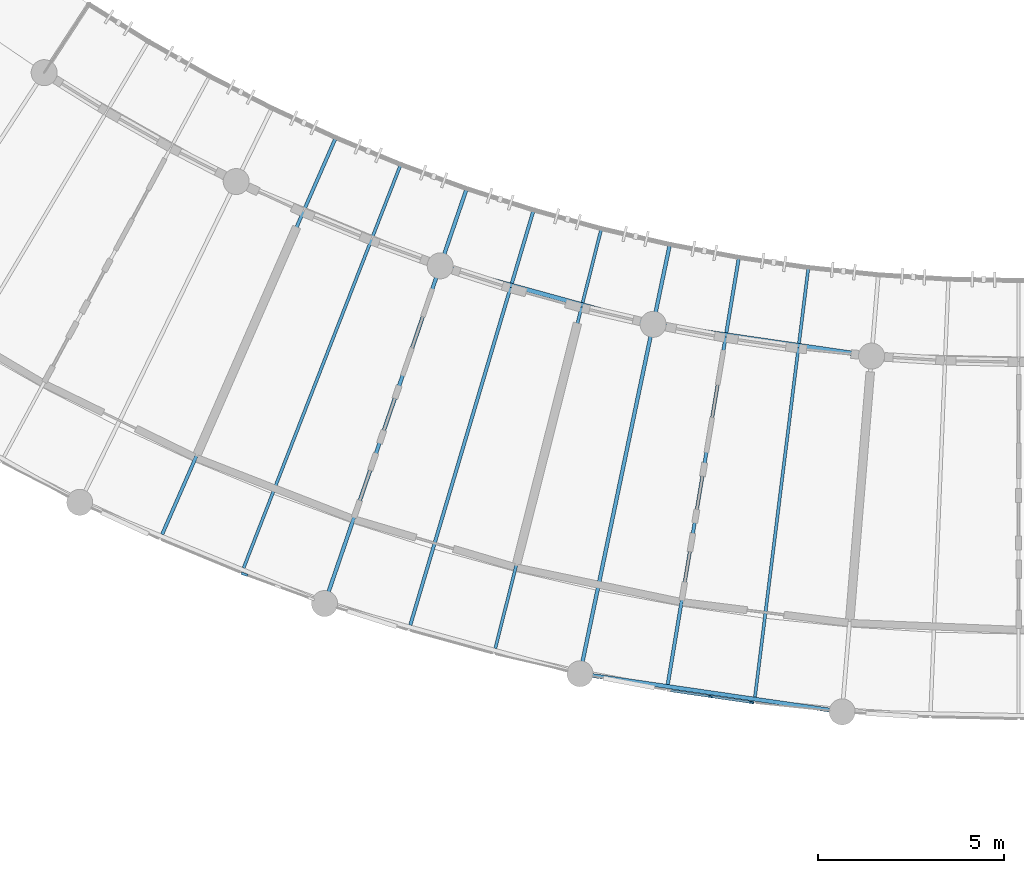
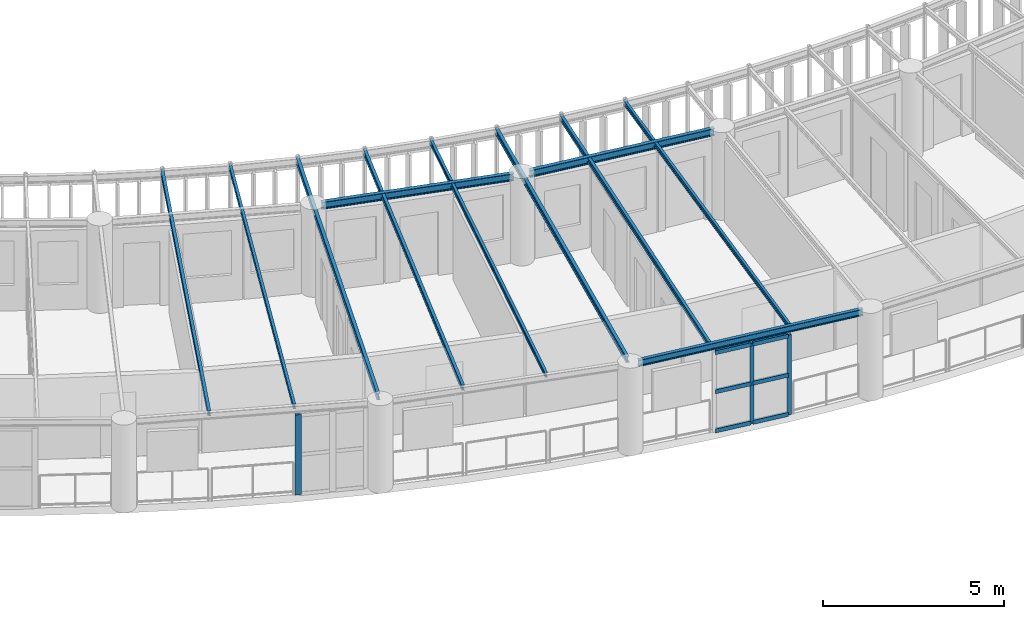
# One storey, part 16 of 137: 11 beams, 9 members, 2 elements without a shape of their own.
"""IFC4 building model written with IfcOpenShell, lengths in metres."""

from ifc_helpers import new_model, si_unit, direction, frame, origin, origin_2d, place, context, subcontext, project, spatial, rectangle, i_section, extrude, material, layer, layer_set, material_profile, profile_set, type_object, element, aggregate, save


model = new_model("IFC4")

# Units and contexts
model_context = context("Model", 3, precision=1e-05, world=origin(), true_north=direction((0.0, 1.0)))
body_context = subcontext(model_context, "Body", "Model", "MODEL_VIEW")
ifc_project = project(units=[si_unit("LENGTHUNIT", "METRE"), si_unit("AREAUNIT", "SQUARE_METRE"), si_unit("VOLUMEUNIT", "CUBIC_METRE"), si_unit("PLANEANGLEUNIT", "RADIAN"), si_unit("MASSUNIT", "GRAM", prefix="KILO"), si_unit("POWERUNIT", "WATT"), si_unit("THERMODYNAMICTEMPERATUREUNIT", "KELVIN")], contexts=[model_context])

# Site, building, storey
site_placement = place(None, origin())
site = spatial("IfcSite", under=ifc_project, at=site_placement, CompositionType="ELEMENT")
building_placement = place(site_placement, origin())
building = spatial("IfcBuilding", under=site, at=building_placement, Name="Ruvembo Vaulted Housing Court", CompositionType="ELEMENT")
storey_placement = place(building_placement, frame((0.0, 0.0, 4.5)))
storey = spatial("IfcBuildingStorey", under=building, at=storey_placement, Name="L01", CompositionType="ELEMENT", Elevation=4.5)

# Beams
ifc_material_1 = material(Name="Steel S355J2", Category="steel")
ifc_material_profile_1 = material_profile(ifc_material_1, i_section(OverallWidth=0.08203125, OverallDepth=0.159912109375, WebThickness=0.0048828125, FlangeThickness=0.00732421875, FilletRadius=0.009033203125, at=origin_2d()), Name="IPE 160")
ifc_profile_set_1 = profile_set([ifc_material_profile_1], Name="Steel S355J2")
beam_type_1 = type_object("IfcBeamType", Name="BM-ST-IPE160", PredefinedType="JOIST", material=ifc_profile_set_1)
beam_1_placement = place(storey_placement, frame((48.156005859375, 8.46240234375, 2.860107421875), z_axis=(0.362802942669, 0.931865883478, 0.0), x_axis=(-0.931865883478, 0.362802942669, 0.0)))
element("IfcBeam", 1, at=beam_1_placement, inside=storey, type_object=beam_type_1, Name="Scoop SC2 L01 Radial Steel Joist 5", PredefinedType="JOIST", context=body_context, shape_type="SweptSolid", body=[
    extrude(i_section(OverallWidth=0.08203125, OverallDepth=0.159912109375, WebThickness=0.0048828125, FlangeThickness=0.00732421875, FilletRadius=0.009033203125, at=origin_2d()), origin(), (0.0, 0.0, 1.0), 11.692138671875),
])
beam_2_placement = place(storey_placement, frame((54.92431640625, 6.299072265625, 2.860107421875), z_axis=(0.24500130138, 0.96952274977, 0.0), x_axis=(-0.96952274977, 0.24500130138, 0.0)))
element("IfcBeam", 2, at=beam_2_placement, inside=storey, type_object=beam_type_1, Name="Scoop SC2 L01 Radial Steel Joist 8", PredefinedType="JOIST", context=body_context, shape_type="SweptSolid", body=[
    extrude(i_section(OverallWidth=0.08203125, OverallDepth=0.159912109375, WebThickness=0.0048828125, FlangeThickness=0.00732421875, FilletRadius=0.009033203125, at=origin_2d()), origin(), (0.0, 0.0, 1.0), 11.69189453125),
])
beam_3_placement = place(storey_placement, frame((61.907958984375, 4.9873046875, 2.860107421875), z_axis=(0.123446200649, 0.992351266208, 0.0), x_axis=(-0.992351266208, 0.123446200649, 0.0)))
element("IfcBeam", 3, at=beam_3_placement, inside=storey, type_object=beam_type_1, Name="Scoop SC2 L01 Radial Steel Joist 11", PredefinedType="JOIST", context=body_context, shape_type="SweptSolid", body=[
    extrude(i_section(OverallWidth=0.08203125, OverallDepth=0.159912109375, WebThickness=0.0048828125, FlangeThickness=0.00732421875, FilletRadius=0.009033203125, at=origin_2d()), origin(), (0.0, 0.0, 1.0), 11.692138671875),
])
ifc_material_profile_2 = material_profile(ifc_material_1, i_section(OverallWidth=0.091064453125, OverallDepth=0.179931640625, WebThickness=0.00537109375, FlangeThickness=0.008056640625, FilletRadius=0.009033203125, at=origin_2d()), Name="IPE 180")
ifc_profile_set_2 = profile_set([ifc_material_profile_2], Name="Steel S355J2")
beam_type_2 = type_object("IfcBeamType", Name="BM-ST-IPE180", PredefinedType="JOIST", material=ifc_profile_set_2)
beam_4_placement = place(storey_placement, frame((45.9658203125, 9.367919921875, 2.85009765625), z_axis=(0.400923991771, 0.916111321196, 0.0), x_axis=(-0.916111321196, 0.400923991771, 0.0)))
element("IfcBeam", 4, at=beam_4_placement, inside=storey, type_object=beam_type_2, Name="Scoop SC2 L01 Radial Steel Joist 4", PredefinedType="JOIST", context=body_context, shape_type="SweptSolid", body=[
    extrude(i_section(OverallWidth=0.091064453125, OverallDepth=0.179931640625, WebThickness=0.00537109375, FlangeThickness=0.008056640625, FilletRadius=0.009033203125, at=origin_2d()), origin(), (0.0, 0.0, 1.0), 11.691650390625),
])
for number, where, z_axis, x_axis, name in (
    (5, (52.638916015625, 6.9267578125, 2.85009765625), (0.28479137609, 0.958589522217, 0.0), (-0.958589522217, 0.28479137609, 0.0), "Scoop SC2 L01 Radial Steel Joist 7"),
    (6, (59.5625, 5.328369140625, 2.85009765625), (0.164290631564, 0.986411977006, 0.0), (-0.986411977006, 0.164290631564, 0.0), "Scoop SC2 L01 Radial Steel Joist 10"),
):
    element("IfcBeam", number, at=place(storey_placement, frame(where, z_axis=z_axis, x_axis=x_axis)), inside=storey, type_object=beam_type_2, Name=name, PredefinedType="JOIST", context=body_context, shape_type="SweptSolid", body=[
        extrude(i_section(OverallWidth=0.091064453125, OverallDepth=0.179931640625, WebThickness=0.00537109375, FlangeThickness=0.008056640625, FilletRadius=0.009033203125, at=origin_2d()), origin(), (0.0, 0.0, 1.0), 11.692138671875),
    ])
ifc_material_profile_3 = material_profile(ifc_material_1, i_section(OverallWidth=0.10009765625, OverallDepth=0.199951171875, WebThickness=0.005615234375, FlangeThickness=0.008544921875, FilletRadius=0.011962890625, at=origin_2d()), Name="IPE 200")
ifc_profile_set_3 = profile_set([ifc_material_profile_3], Name="Steel S355J2")
beam_type_3 = type_object("IfcBeamType", Name="BM-ST-IPE200", PredefinedType="BEAM", material=ifc_profile_set_3)
for number, where, z_axis, x_axis, name in (
    (7, (50.408203125, 7.72607421875, 2.840087890625), (0.324071094468, 0.946032729735, 0.0), (-0.946032729735, 0.324071094468, 0.0), "Scoop SC2 L01 Radial Steel Joist 6"),
    (8, (57.250244140625, 5.84619140625, 2.840087890625), (0.204819113589, 0.978799842005, 0.0), (-0.978799842005, 0.204819113589, 0.0), "Scoop SC2 L01 Radial Steel Joist 9"),
):
    element("IfcBeam", number, at=place(storey_placement, frame(where, z_axis=z_axis, x_axis=x_axis)), inside=storey, type_object=beam_type_3, Name=name, PredefinedType="BEAM", context=body_context, shape_type="SweptSolid", body=[
        extrude(i_section(OverallWidth=0.10009765625, OverallDepth=0.199951171875, WebThickness=0.005615234375, FlangeThickness=0.008544921875, FilletRadius=0.011962890625, at=origin_2d()), origin(), (0.0, 0.0, 1.0), 11.60986328125),
    ])
ifc_material_profile_4 = material_profile(ifc_material_1, i_section(OverallWidth=0.110107421875, OverallDepth=0.219970703125, WebThickness=0.005859375, FlangeThickness=0.00927734375, FilletRadius=0.011962890625, at=origin_2d()), Name="IPE 220")
ifc_profile_set_4 = profile_set([ifc_material_profile_4], Name="Steel S355J2")
beam_type_4 = type_object("IfcBeamType", Name="BM-ST-IPE220", PredefinedType="SPANDREL", material=ifc_profile_set_4)
beam_5_placement = place(storey_placement, frame((57.4306640625, 5.587890625, 2.83203125), z_axis=(0.98959175185, -0.143903317091, 0.0), x_axis=(0.143903317091, 0.98959175185, 0.0)))
element("IfcBeam", 9, at=beam_5_placement, inside=storey, type_object=beam_type_4, Name="Scoop SC2 L01 Chord Girder B9", PredefinedType="SPANDREL", context=body_context, shape_type="SweptSolid", body=[
    extrude(i_section(OverallWidth=0.110107421875, OverallDepth=0.219970703125, WebThickness=0.005859375, FlangeThickness=0.00927734375, FilletRadius=0.011962890625, at=origin_2d()), origin(), (0.0, 0.0, 1.0), 6.6640625),
])
ifc_material_profile_5 = material_profile(ifc_material_1, i_section(OverallWidth=0.1201171875, OverallDepth=0.239990234375, WebThickness=0.006103515625, FlangeThickness=0.009765625, FilletRadius=0.014892578125, at=origin_2d()), Name="IPE 240")
ifc_profile_set_5 = profile_set([ifc_material_profile_5], Name="Steel S355J2")
beam_type_5 = type_object("IfcBeamType", Name="BM-ST-IPE240", PredefinedType="BEAM", material=ifc_profile_set_5)
beam_6_placement = place(storey_placement, frame((53.66650390625, 16.529541015625, 2.822021484375), z_axis=(0.964256945688, -0.264968946658, 0.0), x_axis=(0.264968946658, 0.964256945688, 0.0)))
element("IfcBeam", 10, at=beam_6_placement, inside=storey, type_object=beam_type_5, Name="Scoop SC2 L01 Chord Girder F6", PredefinedType="BEAM", context=body_context, shape_type="SweptSolid", body=[
    extrude(i_section(OverallWidth=0.1201171875, OverallDepth=0.239990234375, WebThickness=0.006103515625, FlangeThickness=0.009765625, FilletRadius=0.014892578125, at=origin_2d()), origin(), (0.0, 0.0, 1.0), 5.476806640625),
])
beam_7_placement = place(storey_placement, frame((59.39697265625, 14.984375, 2.822021484375), z_axis=(0.989592441839, -0.143898572109, 0.0), x_axis=(0.143898572109, 0.989592441839, 0.0)))
element("IfcBeam", 11, at=beam_7_placement, inside=storey, type_object=beam_type_5, Name="Scoop SC2 L01 Chord Girder F9", PredefinedType="BEAM", context=body_context, shape_type="SweptSolid", body=[
    extrude(i_section(OverallWidth=0.1201171875, OverallDepth=0.239990234375, WebThickness=0.006103515625, FlangeThickness=0.009765625, FilletRadius=0.014892578125, at=origin_2d()), origin(), (0.0, 0.0, 1.0), 5.4765625),
])

# Curtain wall, members
ifc_material_2 = material(Name="Anodised Aluminium and Solar-Control Glass", Category="aluminium")
ifc_layer_1 = layer(ifc_material_2, 0.139892578125, Name="Anodised Aluminium and Solar-Control Glass")
ifc_layer_set_1 = layer_set([ifc_layer_1], Name="Anodised Aluminium and Solar-Control Glass")
curtain_wall_type_1 = type_object("IfcCurtainWallType", Name="CW-SCOOP-PAN", PredefinedType="NOTDEFINED", material=ifc_layer_set_1)
curtain_wall_1_placement = place(storey_placement, origin())
curtain_wall_1 = element("IfcCurtainWall", 12, at=curtain_wall_1_placement, inside=storey, type_object=curtain_wall_type_1, Name="L01 Curtain Wall CW-L01-0031", PredefinedType="NOTDEFINED")
ifc_material_3 = material(Name="Anodised Aluminium 6063-T6", Category="aluminium")
ifc_material_profile_6 = material_profile(ifc_material_3, rectangle(XDim=0.054931640625, YDim=0.1201171875, at=origin_2d()), Name="ALU 55x120")
ifc_profile_set_6 = profile_set([ifc_material_profile_6], Name="Anodised Aluminium 6063-T6")
member_type_1 = type_object("IfcMemberType", Name="CW-MUL-55x120", PredefinedType="MULLION", material=ifc_profile_set_6)
member_1_placement = place(storey_placement, frame((60.7138671875, 5.011474609375, 0.0), z_axis=(0.0, 0.0, 1.0), x_axis=(0.143850661969, 0.989599407362, 0.0)))
member_1 = element("IfcMember", 13, at=member_1_placement, type_object=member_type_1, Name="CW10 mullion 2", PredefinedType="MULLION", context=body_context, shape_type="SweptSolid", body=[
    extrude(rectangle(XDim=0.054931640625, YDim=0.1201171875, at=origin_2d()), origin(), (0.0, 0.0, 1.0), 2.697998046875),
])
member_2_placement = place(storey_placement, frame((61.81298828125, 4.851806640625, 0.0), z_axis=(0.0, 0.0, 1.0), x_axis=(0.143850661969, 0.989599407362, 0.0)))
member_2 = element("IfcMember", 14, at=member_2_placement, type_object=member_type_1, Name="CW10 mullion 3", PredefinedType="MULLION", context=body_context, shape_type="SweptSolid", body=[
    extrude(rectangle(XDim=0.054931640625, YDim=0.1201171875, at=origin_2d()), origin(), (0.0, 0.0, 1.0), 2.697998046875),
])

# Curtain wall, member
ifc_layer_2 = layer(ifc_material_2, 0.1201171875, Name="Anodised Aluminium and Solar-Control Glass")
ifc_layer_set_2 = layer_set([ifc_layer_2], Name="Anodised Aluminium and Solar-Control Glass")
curtain_wall_type_2 = type_object("IfcCurtainWallType", Name="CW-SCOOP-GAL", PredefinedType="NOTDEFINED", material=ifc_layer_set_2)
curtain_wall_2_placement = place(storey_placement, origin())
curtain_wall_2 = element("IfcCurtainWall", 15, at=curtain_wall_2_placement, inside=storey, type_object=curtain_wall_type_2, Name="L01 Curtain Wall CW-L01-0030", PredefinedType="NOTDEFINED")
ifc_material_profile_7 = material_profile(ifc_material_3, rectangle(XDim=0.06494140625, YDim=0.179931640625, at=origin_2d()), Name="ALU 65x180")
ifc_profile_set_7 = profile_set([ifc_material_profile_7], Name="Anodised Aluminium 6063-T6")
member_type_2 = type_object("IfcMemberType", Name="CW-MUL-65x180", PredefinedType="MULLION", material=ifc_profile_set_7)
member_3_placement = place(storey_placement, frame((48.179931640625, 8.296142578125, 0.0), z_axis=(0.0, 0.0, 1.0), x_axis=(0.343530364672, 0.939141570025, 0.0)))
member_3 = element("IfcMember", 16, at=member_3_placement, type_object=member_type_2, Name="CW6 mullion 1", PredefinedType="MULLION", context=body_context, shape_type="SweptSolid", body=[
    extrude(rectangle(XDim=0.06494140625, YDim=0.179931640625, at=origin_2d()), origin(), (0.0, 0.0, 1.0), 2.697998046875),
])
aggregate(curtain_wall_2, [member_3])

# Member
ifc_material_profile_8 = material_profile(ifc_material_3, rectangle(XDim=0.06494140625, YDim=0.135009765625, at=origin_2d()), Name="ALU 65x135")
ifc_profile_set_8 = profile_set([ifc_material_profile_8], Name="Anodised Aluminium 6063-T6")
member_type_3 = type_object("IfcMemberType", Name="CW-TRN-65x135", PredefinedType="USERDEFINED", material=ifc_profile_set_8)
member_4_placement = place(storey_placement, frame((59.642333984375, 5.167236328125, 0.032470703125), z_axis=(0.9895948248, -0.143882183503, 0.0), x_axis=(0.143882183503, 0.9895948248, 0.0)))
member_4 = element("IfcMember", 17, at=member_4_placement, type_object=member_type_3, Name="CW10 transom 1.1", ObjectType="TRANSOM", PredefinedType="USERDEFINED", context=body_context, shape_type="SweptSolid", body=[
    extrude(rectangle(XDim=0.06494140625, YDim=0.135009765625, at=origin_2d()), origin(), (0.0, 0.0, 1.0), 1.055419921875),
])

member_5_placement = place(storey_placement, frame((59.642333984375, 5.167236328125, 1.34912109375), z_axis=(0.9895948248, -0.143882183503, 0.0), x_axis=(0.143882183503, 0.9895948248, 0.0)))
member_5 = element("IfcMember", 18, at=member_5_placement, type_object=member_type_3, Name="CW10 transom 1.2", ObjectType="TRANSOM", PredefinedType="USERDEFINED", context=body_context, shape_type="SweptSolid", body=[
    extrude(rectangle(XDim=0.06494140625, YDim=0.135009765625, at=origin_2d()), origin(), (0.0, 0.0, 1.0), 1.055419921875),
])

member_6_placement = place(storey_placement, frame((59.642333984375, 5.167236328125, 2.66552734375), z_axis=(0.9895948248, -0.143882183503, 0.0), x_axis=(0.143882183503, 0.9895948248, 0.0)))
member_6 = element("IfcMember", 19, at=member_6_placement, type_object=member_type_3, Name="CW10 transom 1.3", ObjectType="TRANSOM", PredefinedType="USERDEFINED", context=body_context, shape_type="SweptSolid", body=[
    extrude(rectangle(XDim=0.06494140625, YDim=0.135009765625, at=origin_2d()), origin(), (0.0, 0.0, 1.0), 1.055419921875),
])

member_7_placement = place(storey_placement, frame((60.7412109375, 5.007568359375, 0.032470703125), z_axis=(0.9895948248, -0.143882183503, 0.0), x_axis=(0.143882183503, 0.9895948248, 0.0)))
member_7 = element("IfcMember", 20, at=member_7_placement, type_object=member_type_3, Name="CW10 transom 2.1", ObjectType="TRANSOM", PredefinedType="USERDEFINED", context=body_context, shape_type="SweptSolid", body=[
    extrude(rectangle(XDim=0.06494140625, YDim=0.135009765625, at=origin_2d()), origin(), (0.0, 0.0, 1.0), 1.055419921875),
])

member_8_placement = place(storey_placement, frame((60.7412109375, 5.007568359375, 1.34912109375), z_axis=(0.9895948248, -0.143882183503, 0.0), x_axis=(0.143882183503, 0.9895948248, 0.0)))
member_8 = element("IfcMember", 21, at=member_8_placement, type_object=member_type_3, Name="CW10 transom 2.2", ObjectType="TRANSOM", PredefinedType="USERDEFINED", context=body_context, shape_type="SweptSolid", body=[
    extrude(rectangle(XDim=0.06494140625, YDim=0.135009765625, at=origin_2d()), origin(), (0.0, 0.0, 1.0), 1.055419921875),
])

member_9_placement = place(storey_placement, frame((60.7412109375, 5.007568359375, 2.66552734375), z_axis=(0.9895948248, -0.143882183503, 0.0), x_axis=(0.143882183503, 0.9895948248, 0.0)))
member_9 = element("IfcMember", 22, at=member_9_placement, type_object=member_type_3, Name="CW10 transom 2.3", ObjectType="TRANSOM", PredefinedType="USERDEFINED", context=body_context, shape_type="SweptSolid", body=[
    extrude(rectangle(XDim=0.06494140625, YDim=0.135009765625, at=origin_2d()), origin(), (0.0, 0.0, 1.0), 1.055419921875),
])

aggregate(curtain_wall_1, [member_1, member_2, member_4, member_5, member_6, member_7, member_8, member_9])

save(model, "model.ifc")
